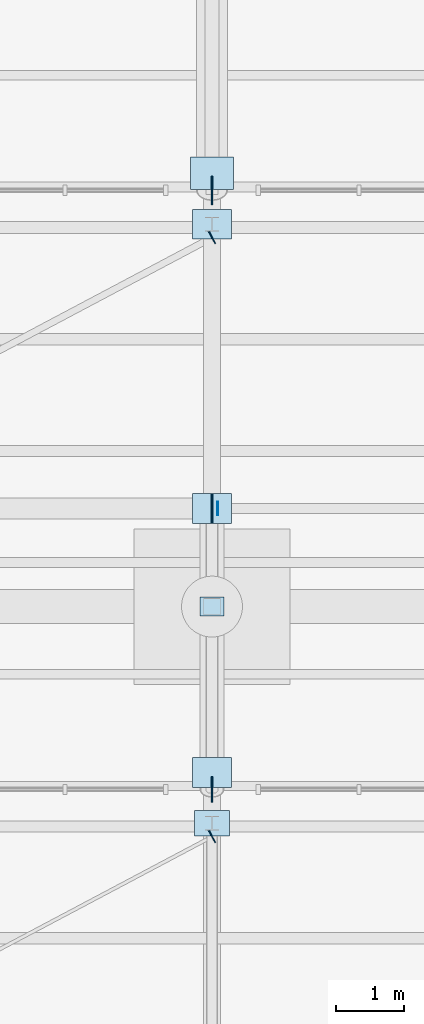
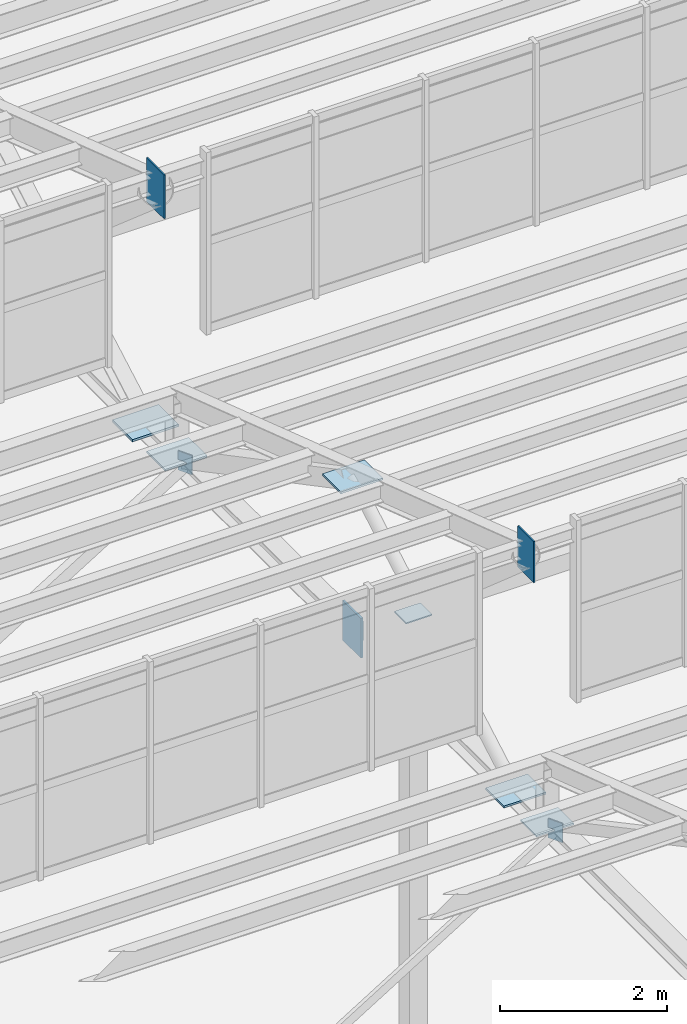
# One storey, part 197 of 285: 12 plates.
"""IFC4 building model written with IfcOpenShell, lengths in metres."""

from ifc_helpers import new_model, si_unit, direction, frame, origin, origin_2d, place, context, subcontext, project, spatial, rectangle, extrude, material, layer, layer_set, type_object, element, save


model = new_model("IFC4")

# Units and contexts
model_context = context("Model", 3, precision=1e-05, world=origin(), true_north=direction((0.0, 1.0)))
body_context = subcontext(model_context, "Body", "Model", "MODEL_VIEW")
ifc_project = project(units=[si_unit("LENGTHUNIT", "METRE"), si_unit("AREAUNIT", "SQUARE_METRE"), si_unit("VOLUMEUNIT", "CUBIC_METRE"), si_unit("PLANEANGLEUNIT", "RADIAN"), si_unit("MASSUNIT", "GRAM", prefix="KILO")], contexts=[model_context])

# Site, building, storey
site_placement = place(None, origin())
site = spatial("IfcSite", under=ifc_project, at=site_placement, CompositionType="ELEMENT")
building_placement = place(site_placement, origin())
building = spatial("IfcBuilding", under=site, at=building_placement, Name="Solanera Park Tramway Depot", CompositionType="ELEMENT")
storey_placement = place(building_placement, origin())
storey = spatial("IfcBuildingStorey", under=building, at=storey_placement, Name="L00", CompositionType="ELEMENT", Elevation=0.0)

# Plates
ifc_material_1 = material(Name="Steel AS/NZS 3679.1 Grade 350", Category="steel")
ifc_layer_1 = layer(ifc_material_1, 0.013916015625)
ifc_layer_set_1 = layer_set([ifc_layer_1], Name="Steel AS/NZS 3679.1 Grade 350")
plate_type_1 = type_object("IfcPlateType", Name="Hollow End Cap and Base Plate 280x200x14", PredefinedType="USERDEFINED", material=ifc_layer_set_1)
for number, where, z_axis, x_axis, name in (
    (1, (30.000732421875, 81.601318359375, 6.35986328125), (0.0, 0.0, 1.0), (0.883520501477, 0.468392488698, 0.0), "Hollow Section Welded End Cap Plate #0342"),
    (2, (30.000732421875, 90.451416015625, 6.35986328125), (0.0, 0.0, 1.0), (0.883520501477, 0.468392488698, 0.0), "Hollow Section Welded End Cap Plate #0411"),
    (3, (30.0849609375, 86.449951171875, 6.35986328125), (0.0, 0.0, 1.0), (1.0, 0.0, 0.0), "Hollow Section Welded End Cap Plate #0412"),
):
    element("IfcPlate", number, at=place(storey_placement, frame(where, z_axis=z_axis, x_axis=x_axis)), inside=storey, type_object=plate_type_1, Name=name, ObjectType="BASE PLATE", PredefinedType="USERDEFINED", context=body_context, shape_type="SweptSolid", body=[
        extrude(rectangle(XDim=0.013916015625, YDim=0.199951171875, at=origin_2d()), origin(), (0.0, 0.0, 1.0), 0.280029296875),
    ])
ifc_material_2 = material(Name="Steel AS/NZS 3679.1 Grade 350", Category="steel")
ifc_layer_2 = layer(ifc_material_2, 0.01806640625)
ifc_layer_set_2 = layer_set([ifc_layer_2], Name="Steel AS/NZS 3679.1 Grade 350")
plate_type_2 = type_object("IfcPlateType", Name="Hollow End Cap and Base Plate 360x280x18", PredefinedType="USERDEFINED", material=ifc_layer_set_2)
plate_1_placement = place(storey_placement, frame((30.0, 85.0, 7.595947265625), z_axis=(0.0, 0.0, 1.0), x_axis=(1.0, 0.0, 0.0)))
element("IfcPlate", 4, at=plate_1_placement, inside=storey, type_object=plate_type_2, Name="Hollow Column Sealed Cap Plate #0014", ObjectType="BASE PLATE", PredefinedType="USERDEFINED", context=body_context, shape_type="SweptSolid", body=[
    extrude(rectangle(XDim=0.360107421875, YDim=0.280029296875, at=origin_2d()), origin(), (0.0, 0.0, 1.0), 0.01806640625),
])
ifc_material_3 = material(Name="Steel AS/NZS 3679.1 Grade 350", Category="steel")
ifc_layer_3 = layer(ifc_material_3, 0.02490234375)
ifc_layer_set_3 = layer_set([ifc_layer_3], Name="Steel AS/NZS 3679.1 Grade 350")
plate_type_3 = type_object("IfcPlateType", Name="Hollow End Cap and Base Plate 520x380x25", PredefinedType="USERDEFINED", material=ifc_layer_set_3)
plate_2_placement = place(storey_placement, frame((30.0, 81.800048828125, 6.487548828125), z_axis=(0.0, 0.0, 1.0), x_axis=(1.0, 0.0, 0.0)))
element("IfcPlate", 5, at=plate_2_placement, inside=storey, type_object=plate_type_3, Name="Sawtooth Truss Node Cap Plate #0278", ObjectType="BASE PLATE", PredefinedType="USERDEFINED", context=body_context, shape_type="SweptSolid", body=[
    extrude(rectangle(XDim=0.52001953125, YDim=0.3798828125, at=origin_2d()), origin(), (0.0, 0.0, 1.0), 0.02490234375),
])
ifc_material_4 = material(Name="Steel AS/NZS 3679.1 Grade 350", Category="steel")
ifc_layer_4 = layer(ifc_material_4, 0.028076171875)
ifc_layer_set_4 = layer_set([ifc_layer_4], Name="Steel AS/NZS 3679.1 Grade 350")
plate_type_4 = type_object("IfcPlateType", Name="Hollow End Cap and Base Plate 580x440x28", PredefinedType="USERDEFINED", material=ifc_layer_set_4)
plate_3_placement = place(storey_placement, frame((30.0, 86.449951171875, 6.2099609375), z_axis=(0.0, 0.0, 1.0), x_axis=(1.0, 0.0, 0.0)))
element("IfcPlate", 6, at=plate_3_placement, inside=storey, type_object=plate_type_4, Name="Sawtooth Truss Hollow End Cap #0366", ObjectType="BASE PLATE", PredefinedType="USERDEFINED", context=body_context, shape_type="SweptSolid", body=[
    extrude(rectangle(XDim=0.028076171875, YDim=0.43994140625, at=origin_2d()), origin(), (0.0, 0.0, 1.0), 0.580078125),
])
for number, where, z_axis, x_axis, name in (
    (7, (30.0, 90.64990234375, 6.48583984375), (0.0, 0.0, 1.0), (1.0, 0.0, 0.0), "Sawtooth Truss Node Cap Plate #0367"),
    (8, (30.0, 86.449951171875, 8.70458984375), (0.0, 0.0, 1.0), (1.0, 0.0, 0.0), "Sawtooth Truss Node Cap Plate #0368"),
    (9, (30.0, 82.550048828125, 6.48583984375), (0.0, 0.0, 1.0), (1.0, 0.0, 0.0), "Sawtooth Truss Node Cap Plate #0369"),
):
    element("IfcPlate", number, at=place(storey_placement, frame(where, z_axis=z_axis, x_axis=x_axis)), inside=storey, type_object=plate_type_4, Name=name, ObjectType="BASE PLATE", PredefinedType="USERDEFINED", context=body_context, shape_type="SweptSolid", body=[
        extrude(rectangle(XDim=0.580078125, YDim=0.43994140625, at=origin_2d()), origin(), (0.0, 0.0, 1.0), 0.028076171875),
    ])
ifc_material_5 = material(Name="Steel AS/NZS 3679.1 Grade 350", Category="steel")
ifc_layer_5 = layer(ifc_material_5, 0.031982421875)
ifc_layer_set_5 = layer_set([ifc_layer_5], Name="Steel AS/NZS 3679.1 Grade 350")
plate_type_5 = type_object("IfcPlateType", Name="Hollow End Cap and Base Plate 640x480x32", PredefinedType="USERDEFINED", material=ifc_layer_set_5)
plate_4_placement = place(storey_placement, frame((30.0, 91.39990234375, 6.48388671875), z_axis=(0.0, 0.0, 1.0), x_axis=(1.0, 0.0, 0.0)))
element("IfcPlate", 10, at=plate_4_placement, inside=storey, type_object=plate_type_5, Name="Sawtooth Truss Node Cap Plate #0440", ObjectType="BASE PLATE", PredefinedType="USERDEFINED", context=body_context, shape_type="SweptSolid", body=[
    extrude(rectangle(XDim=0.639892578125, YDim=0.47998046875, at=origin_2d()), origin(), (0.0, 0.0, 1.0), 0.031982421875),
])
ifc_material_6 = material(Name="Steel AS/NZS 3679.1 Grade 350", Category="steel")
ifc_layer_6 = layer(ifc_material_6, 0.02001953125)
ifc_layer_set_6 = layer_set([ifc_layer_6], Name="Steel AS/NZS 3679.1 Grade 350")
plate_type_6 = type_object("IfcPlateType", Name="Truss Node Gusset Stiffener 600x380x20", PredefinedType="SHEET", material=ifc_layer_set_6)
plate_5_placement = place(storey_placement, frame((30.0, 82.300048828125, 9.806884765625), z_axis=(0.0, 0.0, 1.0), x_axis=(1.0, 0.0, 0.0)))
element("IfcPlate", 11, at=plate_5_placement, inside=storey, type_object=plate_type_6, Name="Sawtooth Truss Apex Gusset Plate #0365", PredefinedType="SHEET", context=body_context, shape_type="SweptSolid", body=[
    extrude(rectangle(XDim=0.02001953125, YDim=0.3798828125, at=origin_2d()), origin(), (0.0, 0.0, 1.0), 0.60009765625),
])
ifc_material_7 = material(Name="Steel AS/NZS 3679.1 Grade 350", Category="steel")
ifc_layer_7 = layer(ifc_material_7, 0.02197265625)
ifc_layer_set_7 = layer_set([ifc_layer_7], Name="Steel AS/NZS 3679.1 Grade 350")
plate_type_7 = type_object("IfcPlateType", Name="Truss Node Gusset Stiffener 640x420x22", PredefinedType="SHEET", material=ifc_layer_set_7)
plate_6_placement = place(storey_placement, frame((30.0, 91.14990234375, 9.76171875), z_axis=(0.0, 0.0, 1.0), x_axis=(1.0, 0.0, 0.0)))
element("IfcPlate", 12, at=plate_6_placement, inside=storey, type_object=plate_type_7, Name="Sawtooth Truss Apex Gusset Plate #0436", PredefinedType="SHEET", context=body_context, shape_type="SweptSolid", body=[
    extrude(rectangle(XDim=0.02197265625, YDim=0.419921875, at=origin_2d()), origin(), (0.0, 0.0, 1.0), 0.639892578125),
])

save(model, "model.ifc")
